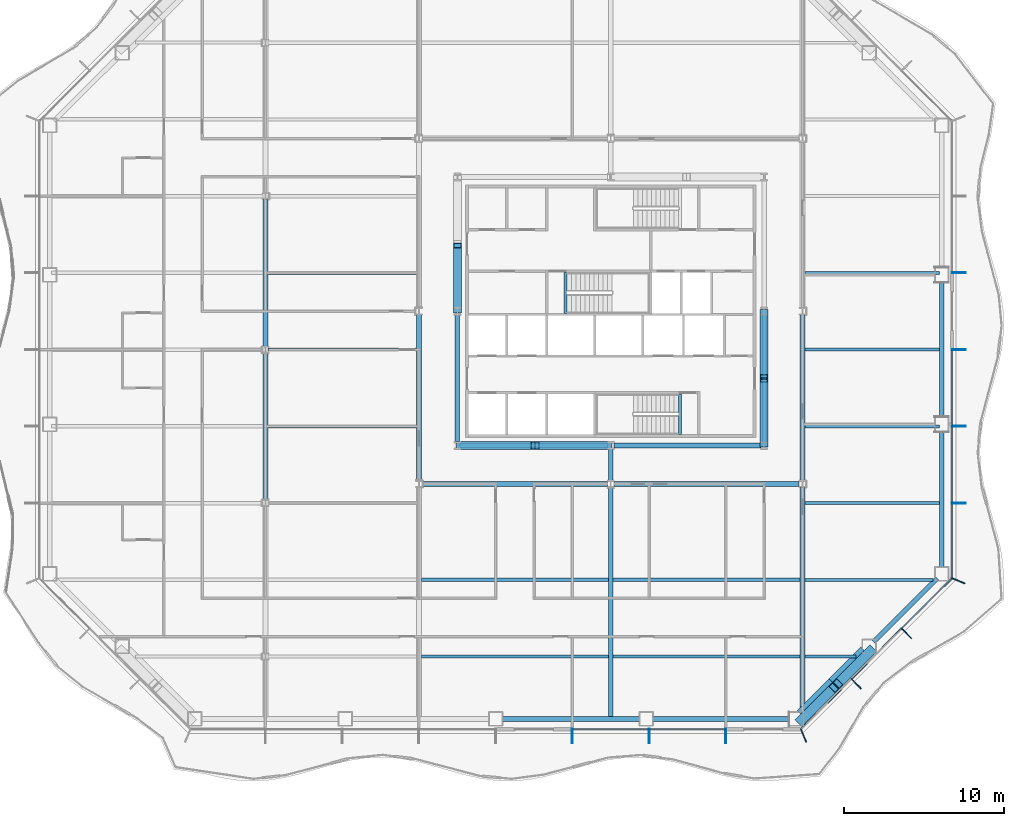
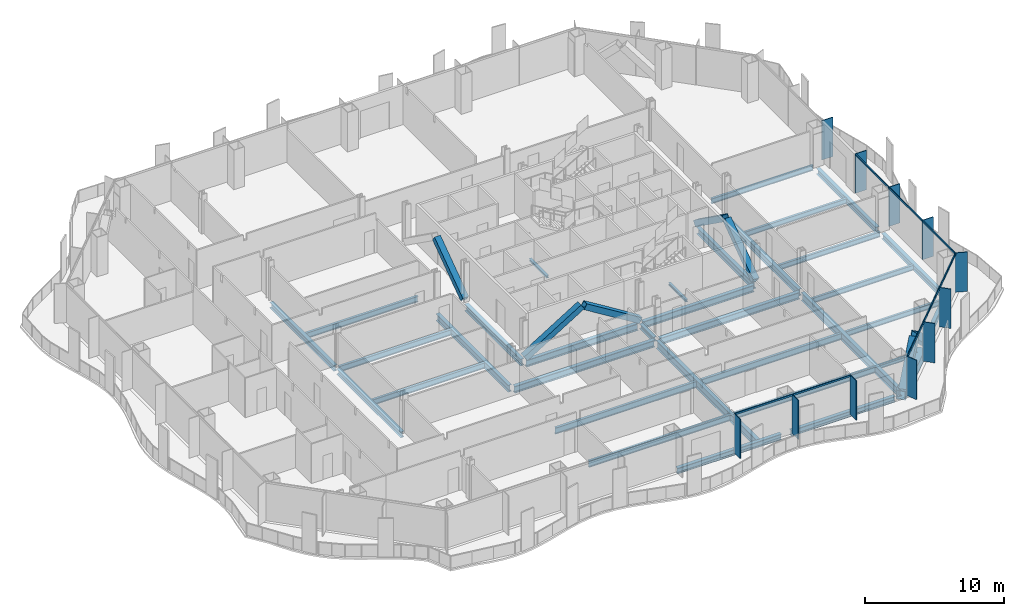
# One storey, part 2 of 18: 35 beams, 26 members, 3 elements without a shape of their own.
"""IFC4 building model written with IfcOpenShell, lengths in metres."""

from ifc_helpers import new_model, si_unit, direction, frame, origin, origin_2d, place, context, subcontext, project, spatial, rectangle, hollow_rectangle, i_section, extrude, material, material_profile, profile_set, type_object, element, aggregate, save


model = new_model("IFC4")

# Units and contexts
model_context = context("Model", 3, precision=1e-05, world=origin(), true_north=direction((0.0, 1.0)))
body_context = subcontext(model_context, "Body", "Model", "MODEL_VIEW")
ifc_project = project(units=[si_unit("LENGTHUNIT", "METRE"), si_unit("AREAUNIT", "SQUARE_METRE"), si_unit("VOLUMEUNIT", "CUBIC_METRE"), si_unit("PLANEANGLEUNIT", "RADIAN"), si_unit("MASSUNIT", "GRAM", prefix="KILO")], contexts=[model_context])

# Site, building, storey
site_placement = place(None, origin())
site = spatial("IfcSite", under=ifc_project, at=site_placement, CompositionType="ELEMENT")
building_placement = place(site_placement, origin())
building = spatial("IfcBuilding", under=site, at=building_placement, Name="Cairn Pilgrim Tower", CompositionType="ELEMENT")
storey_placement = place(building_placement, frame((0.0, 0.0, 72.60009765625)))
storey = spatial("IfcBuildingStorey", under=building, at=storey_placement, Name="L16", CompositionType="ELEMENT", Elevation=72.60009765625)

# Members
ifc_material_1 = material(Name="Structural steel S460M", Category="steel")
ifc_material_profile_1 = material_profile(ifc_material_1, hollow_rectangle(XDim=0.5, YDim=0.5, WallThickness=0.030029296875, at=origin_2d()), Name="BOX 500x500x30")
ifc_profile_set_1 = profile_set([ifc_material_profile_1], Name="Structural steel S460M")
member_type_1 = type_object("IfcMemberType", Name="BOX 500x500x30 BRACE", PredefinedType="BRACE", material=ifc_profile_set_1)
member_1_placement = place(storey_placement, frame((-2.356201171875, -6.0, 0.099853515625), z_axis=(0.850990224345, 0.0, 0.525181528683), x_axis=(0.0, 1.0, 0.0)))
element("IfcMember", 1, at=member_1_placement, inside=storey, type_object=member_type_1, Name="KB-1A", PredefinedType="BRACE", context=body_context, shape_type="SweptSolid", body=[
    extrude(hollow_rectangle(XDim=0.5, YDim=0.5, WallThickness=0.030029296875, at=origin_2d()), origin(), (0.0, 0.0, 1.0), 5.5263671875),
])
member_2_placement = place(storey_placement, frame((7.15625, -6.0, 0.099853515625), z_axis=(-0.851007515624, 0.0, 0.525153509321), x_axis=(0.0, -1.0, 0.0)))
element("IfcMember", 2, at=member_2_placement, inside=storey, type_object=member_type_1, Name="KB-1B", PredefinedType="BRACE", context=body_context, shape_type="SweptSolid", body=[
    extrude(hollow_rectangle(XDim=0.5, YDim=0.5, WallThickness=0.030029296875, at=origin_2d()), origin(), (0.0, 0.0, 1.0), 5.37646484375),
])
member_3_placement = place(storey_placement, frame((16.800048828125, -5.956298828125, 0.099853515625), z_axis=(0.0, 0.814175628242, 0.580618675532), x_axis=(-1.0, 0.0, 0.0)))
element("IfcMember", 3, at=member_3_placement, inside=storey, type_object=member_type_1, Name="KB-2A", PredefinedType="BRACE", context=body_context, shape_type="SweptSolid", body=[
    extrude(hollow_rectangle(XDim=0.5, YDim=0.5, WallThickness=0.030029296875, at=origin_2d()), origin(), (0.0, 0.0, 1.0), 4.99658203125),
])
member_4_placement = place(storey_placement, frame((16.800048828125, 2.356201171875, 0.099853515625), z_axis=(0.0, -0.814159155237, 0.580641774198), x_axis=(1.0, 0.0, 0.0)))
element("IfcMember", 4, at=member_4_placement, inside=storey, type_object=member_type_1, Name="KB-2B", PredefinedType="BRACE", context=body_context, shape_type="SweptSolid", body=[
    extrude(hollow_rectangle(XDim=0.5, YDim=0.5, WallThickness=0.030029296875, at=origin_2d()), origin(), (0.0, 0.0, 1.0), 4.996337890625),
])
member_5_placement = place(storey_placement, frame((-2.39990234375, 2.443603515625, 0.099853515625), z_axis=(0.0, 0.814175628242, 0.580618675532), x_axis=(-1.0, 0.0, 0.0)))
element("IfcMember", 5, at=member_5_placement, inside=storey, type_object=member_type_1, Name="KB-4B", PredefinedType="BRACE", context=body_context, shape_type="SweptSolid", body=[
    extrude(hollow_rectangle(XDim=0.5, YDim=0.5, WallThickness=0.030029296875, at=origin_2d()), origin(), (0.0, 0.0, 1.0), 4.99658203125),
])
ifc_material_profile_2 = material_profile(ifc_material_1, hollow_rectangle(XDim=0.60009765625, YDim=0.60009765625, WallThickness=0.034912109375, at=origin_2d()), Name="BOX 600x600x35")
ifc_profile_set_2 = profile_set([ifc_material_profile_2], Name="Structural steel S460M")
member_type_2 = type_object("IfcMemberType", Name="BOX 600x600x35 BRACE", PredefinedType="BRACE", material=ifc_profile_set_2)
for number, where, z_axis, x_axis, name in (
    (6, (19.078125, -23.2236328125, 0.14990234375), (0.52892212789, 0.52892212789, 0.663688756314), (-0.707106781187, 0.707106781187, 0.0), "XB-SE1-SE2-1"),
    (7, (23.4873046875, -18.814697265625, 0.14990234375), (-0.528939327604, -0.528877844478, 0.663710338426), (0.70706568108, -0.707147878904, 0.0), "XB-SE1-SE2-2"),
):
    element("IfcMember", number, at=place(storey_placement, frame(where, z_axis=z_axis, x_axis=x_axis)), inside=storey, type_object=member_type_2, Name=name, PredefinedType="BRACE", context=body_context, shape_type="SweptSolid", body=[
        extrude(hollow_rectangle(XDim=0.60009765625, YDim=0.60009765625, WallThickness=0.034912109375, at=origin_2d()), origin(), (0.0, 0.0, 1.0), 3.970947265625),
    ])

# Beams
ifc_material_2 = material(Name="Structural steel S355J2", Category="steel")
ifc_material_profile_3 = material_profile(ifc_material_2, hollow_rectangle(XDim=0.699951171875, YDim=0.800048828125, WallThickness=0.0400390625, at=origin_2d()), Name="BOX 700x800x40")
ifc_profile_set_3 = profile_set([ifc_material_profile_3], Name="Structural steel S355J2")
beam_type_1 = type_object("IfcBeamType", Name="BOX 700x800x40 RING GIRDER", PredefinedType="SPANDREL", material=ifc_profile_set_3)
beam_1_placement = place(storey_placement, frame((19.113525390625, -22.813720703125, -0.550048828125), z_axis=(0.707106781187, 0.707106781187, 0.0), x_axis=(-0.707106781187, 0.707106781187, 0.0)))
element("IfcBeam", 8, at=beam_1_placement, inside=storey, type_object=beam_type_1, Name="RG1-SE1-SE2-1", PredefinedType="SPANDREL", context=body_context, shape_type="SweptSolid", body=[
    extrude(hollow_rectangle(XDim=0.699951171875, YDim=0.800048828125, WallThickness=0.0400390625, at=origin_2d()), origin(), (0.0, 0.0, 1.0), 2.802978515625),
])
beam_2_placement = place(storey_placement, frame((21.095458984375, -20.831787109375, -0.550048828125), z_axis=(0.707106781187, 0.707106781187, 0.0), x_axis=(-0.707106781187, 0.707106781187, 0.0)))
element("IfcBeam", 9, at=beam_2_placement, inside=storey, type_object=beam_type_1, Name="RG1-SE1-SE2-2", PredefinedType="SPANDREL", context=body_context, shape_type="SweptSolid", body=[
    extrude(hollow_rectangle(XDim=0.699951171875, YDim=0.800048828125, WallThickness=0.0400390625, at=origin_2d()), origin(), (0.0, 0.0, 1.0), 2.802490234375),
])

# Curtain wall, members
ifc_material_3 = material(Name="Aluminium alloy 6063-T6 bronze anodised with Bronze tinted laminated low-E glass 8+16+8.8", Category="aluminium")
curtain_wall_type_1 = type_object("IfcCurtainWallType", Name="TOWER STICK CURTAIN WALL NS", PredefinedType="NOTDEFINED", material=ifc_material_3)
curtain_wall_1_placement = place(storey_placement, origin())
curtain_wall_1 = element("IfcCurtainWall", 10, at=curtain_wall_1_placement, inside=storey, type_object=curtain_wall_type_1, Name="Tower Stick Curtain Wall Ns S", PredefinedType="NOTDEFINED")
ifc_material_4 = material(Name="Aluminium alloy 6063-T6 bronze anodised", Category="aluminium")
ifc_material_profile_4 = material_profile(ifc_material_4, rectangle(XDim=0.89990234375, YDim=0.06005859375, at=origin_2d()), Name="FIN MULLION 60x900 BRONZE")
ifc_profile_set_4 = profile_set([ifc_material_profile_4], Name="Aluminium alloy 6063-T6 bronze anodised")
member_type_3 = type_object("IfcMemberType", Name="FIN MULLION 60x900 BRONZE", PredefinedType="MULLION", material=ifc_profile_set_4)
member_6_placement = place(storey_placement, frame((4.800048828125, -24.169921875, 0.0), z_axis=(0.0, 0.0, 1.0), x_axis=(0.0, -1.0, 0.0)))
member_6 = element("IfcMember", 11, at=member_6_placement, type_object=member_type_3, Name="Fin mullion S6", PredefinedType="MULLION", context=body_context, shape_type="SweptSolid", body=[
    extrude(rectangle(XDim=0.89990234375, YDim=0.06005859375, at=origin_2d()), origin(), (0.0, 0.0, 1.0), 3.449951171875),
])
member_7_placement = place(storey_placement, frame((9.60009765625, -24.169921875, 0.0), z_axis=(0.0, 0.0, 1.0), x_axis=(0.0, -1.0, 0.0)))
member_7 = element("IfcMember", 12, at=member_7_placement, type_object=member_type_3, Name="Fin mullion S7", PredefinedType="MULLION", context=body_context, shape_type="SweptSolid", body=[
    extrude(rectangle(XDim=0.89990234375, YDim=0.06005859375, at=origin_2d()), origin(), (0.0, 0.0, 1.0), 3.449951171875),
])
member_8_placement = place(storey_placement, frame((14.39990234375, -24.169921875, 0.0), z_axis=(0.0, 0.0, 1.0), x_axis=(0.0, -1.0, 0.0)))
member_8 = element("IfcMember", 13, at=member_8_placement, type_object=member_type_3, Name="Fin mullion S8", PredefinedType="MULLION", context=body_context, shape_type="SweptSolid", body=[
    extrude(rectangle(XDim=0.89990234375, YDim=0.06005859375, at=origin_2d()), origin(), (0.0, 0.0, 1.0), 3.449951171875),
])

curtain_wall_type_2 = type_object("IfcCurtainWallType", Name="CHAMFER CORNER CURTAIN WALL", PredefinedType="NOTDEFINED", material=ifc_material_3)
curtain_wall_2_placement = place(storey_placement, origin())
curtain_wall_2 = element("IfcCurtainWall", 14, at=curtain_wall_2_placement, inside=storey, type_object=curtain_wall_type_2, Name="Chamfer Corner Curtain Wall SE", PredefinedType="NOTDEFINED")
member_9_placement = place(storey_placement, frame((19.257080078125, -24.137939453125, 0.0), z_axis=(0.0, 0.0, 1.0), x_axis=(0.382683432365, -0.923879532511, 0.0)))
member_9 = element("IfcMember", 15, at=member_9_placement, type_object=member_type_3, Name="Fin mullion SE1", PredefinedType="MULLION", context=body_context, shape_type="SweptSolid", body=[
    extrude(rectangle(XDim=0.89990234375, YDim=0.06005859375, at=origin_2d()), origin(), (0.0, 0.0, 1.0), 3.449951171875),
])
member_10_placement = place(storey_placement, frame((22.544677734375, -20.895751953125, 0.0), z_axis=(0.0, 0.0, 1.0), x_axis=(0.707106781187, -0.707106781187, 0.0)))
member_10 = element("IfcMember", 16, at=member_10_placement, type_object=member_type_3, Name="Fin mullion SE2", PredefinedType="MULLION", context=body_context, shape_type="SweptSolid", body=[
    extrude(rectangle(XDim=0.89990234375, YDim=0.06005859375, at=origin_2d()), origin(), (0.0, 0.0, 1.0), 3.449951171875),
])
member_11_placement = place(storey_placement, frame((25.69580078125, -17.74462890625, 0.0), z_axis=(0.0, 0.0, 1.0), x_axis=(0.707106781187, -0.707106781187, 0.0)))
member_11 = element("IfcMember", 17, at=member_11_placement, type_object=member_type_3, Name="Fin mullion SE3", PredefinedType="MULLION", context=body_context, shape_type="SweptSolid", body=[
    extrude(rectangle(XDim=0.89990234375, YDim=0.06005859375, at=origin_2d()), origin(), (0.0, 0.0, 1.0), 3.449951171875),
])

curtain_wall_type_3 = type_object("IfcCurtainWallType", Name="TOWER STICK CURTAIN WALL EW", PredefinedType="NOTDEFINED", material=ifc_material_3)
curtain_wall_3_placement = place(storey_placement, origin())
curtain_wall_3 = element("IfcCurtainWall", 18, at=curtain_wall_3_placement, inside=storey, type_object=curtain_wall_type_3, Name="Tower Stick Curtain Wall Ew E", PredefinedType="NOTDEFINED")
member_12_placement = place(storey_placement, frame((28.93798828125, -14.457275390625, 0.0), z_axis=(0.0, 0.0, 1.0), x_axis=(0.923879532511, -0.382683432365, 0.0)))
member_12 = element("IfcMember", 19, at=member_12_placement, type_object=member_type_3, Name="Fin mullion E1", PredefinedType="MULLION", context=body_context, shape_type="SweptSolid", body=[
    extrude(rectangle(XDim=0.89990234375, YDim=0.06005859375, at=origin_2d()), origin(), (0.0, 0.0, 1.0), 3.449951171875),
])
member_13_placement = place(storey_placement, frame((28.969970703125, -9.60009765625, 0.0), z_axis=(0.0, 0.0, 1.0), x_axis=(1.0, 0.0, 0.0)))
member_13 = element("IfcMember", 20, at=member_13_placement, type_object=member_type_3, Name="Fin mullion E2", PredefinedType="MULLION", context=body_context, shape_type="SweptSolid", body=[
    extrude(rectangle(XDim=0.89990234375, YDim=0.06005859375, at=origin_2d()), origin(), (0.0, 0.0, 1.0), 3.449951171875),
])
member_14_placement = place(storey_placement, frame((28.969970703125, -4.800048828125, 0.0), z_axis=(0.0, 0.0, 1.0), x_axis=(1.0, 0.0, 0.0)))
member_14 = element("IfcMember", 21, at=member_14_placement, type_object=member_type_3, Name="Fin mullion E3", PredefinedType="MULLION", context=body_context, shape_type="SweptSolid", body=[
    extrude(rectangle(XDim=0.89990234375, YDim=0.06005859375, at=origin_2d()), origin(), (0.0, 0.0, 1.0), 3.449951171875),
])
member_15_placement = place(storey_placement, frame((28.969970703125, 0.0, 0.0), z_axis=(0.0, 0.0, 1.0), x_axis=(1.0, 0.0, 0.0)))
member_15 = element("IfcMember", 22, at=member_15_placement, type_object=member_type_3, Name="Fin mullion E4", PredefinedType="MULLION", context=body_context, shape_type="SweptSolid", body=[
    extrude(rectangle(XDim=0.89990234375, YDim=0.06005859375, at=origin_2d()), origin(), (0.0, 0.0, 1.0), 3.449951171875),
])
member_16_placement = place(storey_placement, frame((28.969970703125, 4.800048828125, 0.0), z_axis=(0.0, 0.0, 1.0), x_axis=(1.0, 0.0, 0.0)))
member_16 = element("IfcMember", 23, at=member_16_placement, type_object=member_type_3, Name="Fin mullion E5", PredefinedType="MULLION", context=body_context, shape_type="SweptSolid", body=[
    extrude(rectangle(XDim=0.89990234375, YDim=0.06005859375, at=origin_2d()), origin(), (0.0, 0.0, 1.0), 3.449951171875),
])

# Beams
ifc_material_profile_5 = material_profile(ifc_material_2, i_section(OverallWidth=0.300048828125, OverallDepth=0.39990234375, WebThickness=0.013427734375, FlangeThickness=0.02392578125, FilletRadius=0.027099609375, at=origin_2d()), Name="HEB 400")
ifc_profile_set_5 = profile_set([ifc_material_profile_5], Name="Structural steel S355J2")
beam_type_2 = type_object("IfcBeamType", Name="HEB 400 GIRDER", PredefinedType="BEAM", material=ifc_profile_set_5)
beam_3_placement = place(storey_placement, frame((7.199951171875, -8.18798828125, -0.35009765625), z_axis=(0.0, 1.0, 0.0), x_axis=(-1.0, 0.0, 0.0)))
element("IfcBeam", 24, at=beam_3_placement, inside=storey, type_object=beam_type_2, Name="PG3-E1", PredefinedType="BEAM", context=body_context, shape_type="SweptSolid", body=[
    extrude(i_section(OverallWidth=0.300048828125, OverallDepth=0.39990234375, WebThickness=0.013427734375, FlangeThickness=0.02392578125, FilletRadius=0.027099609375, at=origin_2d()), origin(), (0.0, 0.0, 1.0), 1.969482421875),
])
ifc_material_profile_6 = material_profile(ifc_material_2, i_section(OverallWidth=0.300048828125, OverallDepth=0.5, WebThickness=0.014404296875, FlangeThickness=0.028076171875, FilletRadius=0.027099609375, at=origin_2d()), Name="HEB 500")
ifc_profile_set_6 = profile_set([ifc_material_profile_6], Name="Structural steel S355J2")
beam_type_3 = type_object("IfcBeamType", Name="HEB 500 GIRDER", PredefinedType="BEAM", material=ifc_profile_set_6)
for number, where, z_axis, x_axis, name in (
    (25, (-14.39990234375, -9.3955078125, -0.400146484375), (0.0, 1.0, 0.0), (-1.0, 0.0, 0.0), "PG1-3"),
    (26, (-14.39990234375, 0.20458984375, -0.400146484375), (0.0, 1.0, 0.0), (-1.0, 0.0, 0.0), "PG1-4"),
):
    element("IfcBeam", number, at=place(storey_placement, frame(where, z_axis=z_axis, x_axis=x_axis)), inside=storey, type_object=beam_type_3, Name=name, PredefinedType="BEAM", context=body_context, shape_type="SweptSolid", body=[
        extrude(i_section(OverallWidth=0.300048828125, OverallDepth=0.5, WebThickness=0.014404296875, FlangeThickness=0.028076171875, FilletRadius=0.027099609375, at=origin_2d()), origin(), (0.0, 0.0, 1.0), 9.19091796875),
    ])
ifc_material_profile_7 = material_profile(ifc_material_2, i_section(OverallWidth=0.300048828125, OverallDepth=0.5, WebThickness=0.014404296875, FlangeThickness=0.028076171875, FilletRadius=0.027099609375, at=origin_2d()), Name="HEB 500")
ifc_profile_set_7 = profile_set([ifc_material_profile_7], Name="Structural steel S355J2")
beam_type_4 = type_object("IfcBeamType", Name="HEB 500 RING GIRDER", PredefinedType="SPANDREL", material=ifc_profile_set_7)
for number, where, z_axis, x_axis, name in (
    (27, (0.405029296875, -23.10009765625, -0.400146484375), (1.0, 0.0, 0.0), (0.0, 1.0, 0.0), "RG1-S3-S4"),
    (28, (9.818603515625, -23.10009765625, -0.400146484375), (1.0, 0.0, 0.0), (0.0, 1.0, 0.0), "RG1-S4-SE1"),
):
    element("IfcBeam", number, at=place(storey_placement, frame(where, z_axis=z_axis, x_axis=x_axis)), inside=storey, type_object=beam_type_4, Name=name, PredefinedType="SPANDREL", context=body_context, shape_type="SweptSolid", body=[
        extrude(i_section(OverallWidth=0.300048828125, OverallDepth=0.5, WebThickness=0.014404296875, FlangeThickness=0.028076171875, FilletRadius=0.027099609375, at=origin_2d()), origin(), (0.0, 0.0, 1.0), 8.603515625),
    ])
beam_4_placement = place(storey_placement, frame((23.64990234375, -18.277099609375, -0.400146484375), z_axis=(0.707128558756, 0.707085002947, 0.0), x_axis=(-0.707085002947, 0.707128558756, 0.0)))
element("IfcBeam", 29, at=beam_4_placement, inside=storey, type_object=beam_type_4, Name="RG1-SE2-E1", PredefinedType="SPANDREL", context=body_context, shape_type="SweptSolid", body=[
    extrude(i_section(OverallWidth=0.300048828125, OverallDepth=0.5, WebThickness=0.014404296875, FlangeThickness=0.028076171875, FilletRadius=0.027099609375, at=origin_2d()), origin(), (0.0, 0.0, 1.0), 5.605224609375),
])
for number, where, z_axis, x_axis, name in (
    (30, (27.89990234375, -13.622314453125, -0.400146484375), (0.0, 1.0, 0.0), (-1.0, 0.0, 0.0), "RG1-E1-E2"),
    (31, (27.89990234375, -4.270751953125, -0.400146484375), (0.0, 1.0, 0.0), (-1.0, 0.0, 0.0), "RG1-E2-E3"),
):
    element("IfcBeam", number, at=place(storey_placement, frame(where, z_axis=z_axis, x_axis=x_axis)), inside=storey, type_object=beam_type_4, Name=name, PredefinedType="SPANDREL", context=body_context, shape_type="SweptSolid", body=[
        extrude(i_section(OverallWidth=0.300048828125, OverallDepth=0.5, WebThickness=0.014404296875, FlangeThickness=0.028076171875, FilletRadius=0.027099609375, at=origin_2d()), origin(), (0.0, 0.0, 1.0), 8.54150390625),
    ])
ifc_material_profile_8 = material_profile(ifc_material_2, i_section(OverallWidth=0.300048828125, OverallDepth=0.60009765625, WebThickness=0.015380859375, FlangeThickness=0.030029296875, FilletRadius=0.027099609375, at=origin_2d()), Name="HEB 600")
ifc_profile_set_8 = profile_set([ifc_material_profile_8], Name="Structural steel S355J2")
beam_type_5 = type_object("IfcBeamType", Name="HEB 600 CORE BEAM", PredefinedType="BEAM", material=ifc_profile_set_8)
beam_5_placement = place(storey_placement, frame((-2.203369140625, -6.0, -0.4501953125), z_axis=(1.0, 0.0, 0.0), x_axis=(0.0, 1.0, 0.0)))
element("IfcBeam", 32, at=beam_5_placement, inside=storey, type_object=beam_type_5, Name="CB-1", PredefinedType="BEAM", context=body_context, shape_type="SweptSolid", body=[
    extrude(i_section(OverallWidth=0.300048828125, OverallDepth=0.60009765625, WebThickness=0.015380859375, FlangeThickness=0.030029296875, FilletRadius=0.027099609375, at=origin_2d()), origin(), (0.0, 0.0, 1.0), 9.206787109375),
])
beam_6_placement = place(storey_placement, frame((7.396728515625, -6.0, -0.4501953125), z_axis=(1.0, 0.0, 0.0), x_axis=(0.0, 1.0, 0.0)))
element("IfcBeam", 33, at=beam_6_placement, inside=storey, type_object=beam_type_5, Name="CB-2", PredefinedType="BEAM", context=body_context, shape_type="SweptSolid", body=[
    extrude(i_section(OverallWidth=0.300048828125, OverallDepth=0.60009765625, WebThickness=0.015380859375, FlangeThickness=0.030029296875, FilletRadius=0.027099609375, at=origin_2d()), origin(), (0.0, 0.0, 1.0), 9.20654296875),
])
for number, where, z_axis, x_axis, name in (
    (34, (16.800048828125, -5.803466796875, -0.4501953125), (0.0, 1.0, 0.0), (-1.0, 0.0, 0.0), "CB-3"),
    (35, (-2.39990234375, 2.203369140625, -0.4501953125), (0.0, -1.0, 0.0), (1.0, 0.0, 0.0), "CB-8"),
):
    element("IfcBeam", number, at=place(storey_placement, frame(where, z_axis=z_axis, x_axis=x_axis)), inside=storey, type_object=beam_type_5, Name=name, PredefinedType="BEAM", context=body_context, shape_type="SweptSolid", body=[
        extrude(i_section(OverallWidth=0.300048828125, OverallDepth=0.60009765625, WebThickness=0.015380859375, FlangeThickness=0.030029296875, FilletRadius=0.027099609375, at=origin_2d()), origin(), (0.0, 0.0, 1.0), 8.0068359375),
    ])
ifc_material_profile_9 = material_profile(ifc_material_2, i_section(OverallWidth=0.300048828125, OverallDepth=0.60009765625, WebThickness=0.015380859375, FlangeThickness=0.030029296875, FilletRadius=0.027099609375, at=origin_2d()), Name="HEB 600")
ifc_profile_set_9 = profile_set([ifc_material_profile_9], Name="Structural steel S355J2")
beam_type_6 = type_object("IfcBeamType", Name="HEB 600 GIRDER", PredefinedType="BEAM", material=ifc_profile_set_9)
for number, where, z_axis, x_axis, name in (
    (36, (-4.800048828125, -8.18798828125, -0.4501953125), (0.0, 1.0, 0.0), (-1.0, 0.0, 0.0), "PG2-2"),
    (37, (19.199951171875, -8.18798828125, -0.4501953125), (0.0, 1.0, 0.0), (-1.0, 0.0, 0.0), "PG4-2"),
):
    element("IfcBeam", number, at=place(storey_placement, frame(where, z_axis=z_axis, x_axis=x_axis)), inside=storey, type_object=beam_type_6, Name=name, PredefinedType="BEAM", context=body_context, shape_type="SweptSolid", body=[
        extrude(i_section(OverallWidth=0.300048828125, OverallDepth=0.60009765625, WebThickness=0.015380859375, FlangeThickness=0.030029296875, FilletRadius=0.027099609375, at=origin_2d()), origin(), (0.0, 0.0, 1.0), 10.3759765625),
    ])
ifc_material_profile_10 = material_profile(ifc_material_2, i_section(OverallWidth=0.300048828125, OverallDepth=0.60009765625, WebThickness=0.015380859375, FlangeThickness=0.030029296875, FilletRadius=0.027099609375, at=origin_2d()), Name="HEB 600")
ifc_profile_set_10 = profile_set([ifc_material_profile_10], Name="Structural steel S355J2")
beam_type_7 = type_object("IfcBeamType", Name="HEB 600 INNER GIRDER", PredefinedType="BEAM", material=ifc_profile_set_10)
for number, where, z_axis, x_axis, name in (
    (38, (-4.587890625, -8.39990234375, -0.4501953125), (1.0, 0.0, 0.0), (0.0, 1.0, 0.0), "IG1-1"),
    (39, (7.412109375, -8.39990234375, -0.4501953125), (1.0, 0.0, 0.0), (0.0, 1.0, 0.0), "IG1-2"),
):
    element("IfcBeam", number, at=place(storey_placement, frame(where, z_axis=z_axis, x_axis=x_axis)), inside=storey, type_object=beam_type_7, Name=name, PredefinedType="BEAM", context=body_context, shape_type="SweptSolid", body=[
        extrude(i_section(OverallWidth=0.300048828125, OverallDepth=0.60009765625, WebThickness=0.015380859375, FlangeThickness=0.030029296875, FilletRadius=0.027099609375, at=origin_2d()), origin(), (0.0, 0.0, 1.0), 11.575927734375),
    ])
ifc_material_profile_11 = material_profile(ifc_material_2, i_section(OverallWidth=0.300048828125, OverallDepth=0.699951171875, WebThickness=0.01708984375, FlangeThickness=0.031982421875, FilletRadius=0.027099609375, at=origin_2d()), Name="HEB 700")
ifc_profile_set_11 = profile_set([ifc_material_profile_11], Name="Structural steel S355J2")
beam_type_8 = type_object("IfcBeamType", Name="HEB 700 GIRDER", PredefinedType="BEAM", material=ifc_profile_set_11)
beam_7_placement = place(storey_placement, frame((7.199951171875, -22.97998046875, -0.5), z_axis=(0.0, 1.0, 0.0), x_axis=(-1.0, 0.0, 0.0)))
element("IfcBeam", 40, at=beam_7_placement, inside=storey, type_object=beam_type_8, Name="PG3-1", PredefinedType="BEAM", context=body_context, shape_type="SweptSolid", body=[
    extrude(i_section(OverallWidth=0.300048828125, OverallDepth=0.699951171875, WebThickness=0.01708984375, FlangeThickness=0.031982421875, FilletRadius=0.027099609375, at=origin_2d()), origin(), (0.0, 0.0, 1.0), 14.367919921875),
])
beam_8_placement = place(storey_placement, frame((19.199951171875, -22.545166015625, -0.5), z_axis=(0.0, 1.0, 0.0), x_axis=(-1.0, 0.0, 0.0)))
element("IfcBeam", 41, at=beam_8_placement, inside=storey, type_object=beam_type_8, Name="PG4-1", PredefinedType="BEAM", context=body_context, shape_type="SweptSolid", body=[
    extrude(i_section(OverallWidth=0.300048828125, OverallDepth=0.699951171875, WebThickness=0.01708984375, FlangeThickness=0.031982421875, FilletRadius=0.027099609375, at=origin_2d()), origin(), (0.0, 0.0, 1.0), 13.93310546875),
])
ifc_material_profile_12 = material_profile(ifc_material_2, i_section(OverallWidth=0.169921875, OverallDepth=0.360107421875, WebThickness=0.008056640625, FlangeThickness=0.0126953125, FilletRadius=0.01806640625, at=origin_2d()), Name="IPE 360")
ifc_profile_set_12 = profile_set([ifc_material_profile_12], Name="Structural steel S355J2")
beam_type_9 = type_object("IfcBeamType", Name="IPE 360 SECONDARY BEAM", PredefinedType="JOIST", material=ifc_profile_set_12)
beam_9_placement = place(storey_placement, frame((19.35009765625, -19.199951171875, -0.330078125), z_axis=(1.0, 0.0, 0.0), x_axis=(0.0, 1.0, 0.0)))
element("IfcBeam", 42, at=beam_9_placement, inside=storey, type_object=beam_type_9, Name="SB1-5", PredefinedType="JOIST", context=body_context, shape_type="SweptSolid", body=[
    extrude(i_section(OverallWidth=0.169921875, OverallDepth=0.360107421875, WebThickness=0.008056640625, FlangeThickness=0.0126953125, FilletRadius=0.01806640625, at=origin_2d()), origin(), (0.0, 0.0, 1.0), 3.195068359375),
])
ifc_material_profile_13 = material_profile(ifc_material_2, i_section(OverallWidth=0.18994140625, OverallDepth=0.449951171875, WebThickness=0.009521484375, FlangeThickness=0.0146484375, FilletRadius=0.02099609375, at=origin_2d()), Name="IPE 450")
ifc_profile_set_13 = profile_set([ifc_material_profile_13], Name="Structural steel S355J2")
beam_type_10 = type_object("IfcBeamType", Name="IPE 450 SECONDARY BEAM", PredefinedType="JOIST", material=ifc_profile_set_13)
beam_10_placement = place(storey_placement, frame((19.35009765625, -14.39990234375, -0.375), z_axis=(1.0, 0.0, 0.0), x_axis=(0.0, 1.0, 0.0)))
element("IfcBeam", 43, at=beam_10_placement, inside=storey, type_object=beam_type_10, Name="SB2-5", PredefinedType="JOIST", context=body_context, shape_type="SweptSolid", body=[
    extrude(i_section(OverallWidth=0.18994140625, OverallDepth=0.449951171875, WebThickness=0.009521484375, FlangeThickness=0.0146484375, FilletRadius=0.02099609375, at=origin_2d()), origin(), (0.0, 0.0, 1.0), 7.9951171875),
])
for number, where, z_axis, x_axis, name in (
    (44, (19.35009765625, -9.60009765625, -0.375), (1.0, 0.0, 0.0), (0.0, 1.0, 0.0), "SB3-3"),
    (45, (19.35009765625, -4.800048828125, -0.375), (1.0, 0.0, 0.0), (0.0, 1.0, 0.0), "SB4-3"),
    (46, (19.35009765625, 0.0, -0.375), (1.0, 0.0, 0.0), (0.0, 1.0, 0.0), "SB5-3"),
    (47, (19.35009765625, 4.800048828125, -0.375), (1.0, 0.0, 0.0), (0.0, 1.0, 0.0), "SB6-3"),
):
    element("IfcBeam", number, at=place(storey_placement, frame(where, z_axis=z_axis, x_axis=x_axis)), inside=storey, type_object=beam_type_10, Name=name, PredefinedType="JOIST", context=body_context, shape_type="SweptSolid", body=[
        extrude(i_section(OverallWidth=0.18994140625, OverallDepth=0.449951171875, WebThickness=0.009521484375, FlangeThickness=0.0146484375, FilletRadius=0.02099609375, at=origin_2d()), origin(), (0.0, 0.0, 1.0), 8.429931640625),
    ])
ifc_material_profile_14 = material_profile(ifc_material_2, i_section(OverallWidth=0.199951171875, OverallDepth=0.5, WebThickness=0.01025390625, FlangeThickness=0.01611328125, FilletRadius=0.02099609375, at=origin_2d()), Name="IPE 500")
ifc_profile_set_14 = profile_set([ifc_material_profile_14], Name="Structural steel S355J2")
beam_type_11 = type_object("IfcBeamType", Name="IPE 500 SECONDARY BEAM", PredefinedType="JOIST", material=ifc_profile_set_14)
for number, where, z_axis, x_axis, name in (
    (48, (-14.25, -4.800048828125, -0.400146484375), (1.0, 0.0, 0.0), (0.0, 1.0, 0.0), "SB4-2"),
    (49, (-14.25, 0.0, -0.400146484375), (1.0, 0.0, 0.0), (0.0, 1.0, 0.0), "SB5-2"),
    (50, (-14.25, 4.800048828125, -0.400146484375), (1.0, 0.0, 0.0), (0.0, 1.0, 0.0), "SB6-2"),
):
    element("IfcBeam", number, at=place(storey_placement, frame(where, z_axis=z_axis, x_axis=x_axis)), inside=storey, type_object=beam_type_11, Name=name, PredefinedType="JOIST", context=body_context, shape_type="SweptSolid", body=[
        extrude(i_section(OverallWidth=0.199951171875, OverallDepth=0.5, WebThickness=0.01025390625, FlangeThickness=0.01611328125, FilletRadius=0.02099609375, at=origin_2d()), origin(), (0.0, 0.0, 1.0), 9.300048828125),
    ])
ifc_material_profile_15 = material_profile(ifc_material_2, i_section(OverallWidth=0.2099609375, OverallDepth=0.550048828125, WebThickness=0.010986328125, FlangeThickness=0.01708984375, FilletRadius=0.02392578125, at=origin_2d()), Name="IPE 550")
ifc_profile_set_15 = profile_set([ifc_material_profile_15], Name="Structural steel S355J2")
beam_type_12 = type_object("IfcBeamType", Name="IPE 550 SECONDARY BEAM", PredefinedType="JOIST", material=ifc_profile_set_15)
for number, where, z_axis, x_axis, name in (
    (51, (-4.64990234375, -19.199951171875, -0.425048828125), (1.0, 0.0, 0.0), (0.0, 1.0, 0.0), "SB1-3"),
    (52, (7.35009765625, -19.199951171875, -0.425048828125), (1.0, 0.0, 0.0), (0.0, 1.0, 0.0), "SB1-4"),
    (53, (-4.64990234375, -14.39990234375, -0.425048828125), (1.0, 0.0, 0.0), (0.0, 1.0, 0.0), "SB2-3"),
    (54, (7.35009765625, -14.39990234375, -0.425048828125), (1.0, 0.0, 0.0), (0.0, 1.0, 0.0), "SB2-4"),
):
    element("IfcBeam", number, at=place(storey_placement, frame(where, z_axis=z_axis, x_axis=x_axis)), inside=storey, type_object=beam_type_12, Name=name, PredefinedType="JOIST", context=body_context, shape_type="SweptSolid", body=[
        extrude(i_section(OverallWidth=0.2099609375, OverallDepth=0.550048828125, WebThickness=0.010986328125, FlangeThickness=0.01708984375, FilletRadius=0.02392578125, at=origin_2d()), origin(), (0.0, 0.0, 1.0), 11.699951171875),
    ])
ifc_material_profile_16 = material_profile(ifc_material_2, i_section(OverallWidth=0.199951171875, OverallDepth=0.199951171875, WebThickness=0.009033203125, FlangeThickness=0.014892578125, FilletRadius=0.01806640625, at=origin_2d()), Name="HE 200 B")
ifc_profile_set_16 = profile_set([ifc_material_profile_16], Name="Structural steel S355J2")
beam_type_13 = type_object("IfcBeamType", Name="STAIR LANDING BEAM HE 200 B", PredefinedType="BEAM", material=ifc_profile_set_16)
beam_11_placement = place(storey_placement, frame((11.5244140625, -2.77490234375, -0.25), z_axis=(0.0, -1.0, 0.0), x_axis=(1.0, 0.0, 0.0)))
element("IfcBeam", 55, at=beam_11_placement, inside=storey, type_object=beam_type_13, Name="STAIR LANDING BEAM LD-HE200B", PredefinedType="BEAM", context=body_context, shape_type="SweptSolid", body=[
    extrude(i_section(OverallWidth=0.199951171875, OverallDepth=0.199951171875, WebThickness=0.009033203125, FlangeThickness=0.014892578125, FilletRadius=0.01806640625, at=origin_2d()), origin(), (0.0, 0.0, 1.0), 2.525146484375),
])
beam_12_placement = place(storey_placement, frame((4.37548828125, 2.27490234375, -0.25), z_axis=(0.0, 1.0, 0.0), x_axis=(-1.0, 0.0, 0.0)))
element("IfcBeam", 56, at=beam_12_placement, inside=storey, type_object=beam_type_13, Name="STAIR LANDING BEAM LD-HE200B", PredefinedType="BEAM", context=body_context, shape_type="SweptSolid", body=[
    extrude(i_section(OverallWidth=0.199951171875, OverallDepth=0.199951171875, WebThickness=0.009033203125, FlangeThickness=0.014892578125, FilletRadius=0.01806640625, at=origin_2d()), origin(), (0.0, 0.0, 1.0), 2.550048828125),
])

# Member
ifc_material_profile_17 = material_profile(ifc_material_4, rectangle(XDim=0.080078125, YDim=0.14990234375, at=origin_2d()), Name="TRANSOM 80x150 BRONZE")
ifc_profile_set_17 = profile_set([ifc_material_profile_17], Name="Aluminium alloy 6063-T6 bronze anodised")
member_type_4 = type_object("IfcMemberType", Name="TRANSOM 80x150 BRONZE", PredefinedType="USERDEFINED", material=ifc_profile_set_17)
member_17_placement = place(storey_placement, frame((4.830078125, -23.75, 3.375), z_axis=(1.0, 0.0, 0.0), x_axis=(0.0, 1.0, 0.0)))
member_17 = element("IfcMember", 57, at=member_17_placement, type_object=member_type_4, Name="Transom S6", ObjectType="TRANSOM", PredefinedType="USERDEFINED", context=body_context, shape_type="SweptSolid", body=[
    extrude(rectangle(XDim=0.080078125, YDim=0.14990234375, at=origin_2d()), origin(), (0.0, 0.0, 1.0), 4.739990234375),
])

member_18_placement = place(storey_placement, frame((9.6298828125, -23.75, 3.375), z_axis=(1.0, 0.0, 0.0), x_axis=(0.0, 1.0, 0.0)))
member_18 = element("IfcMember", 58, at=member_18_placement, type_object=member_type_4, Name="Transom S7", ObjectType="TRANSOM", PredefinedType="USERDEFINED", context=body_context, shape_type="SweptSolid", body=[
    extrude(rectangle(XDim=0.080078125, YDim=0.14990234375, at=origin_2d()), origin(), (0.0, 0.0, 1.0), 4.740234375),
])

aggregate(curtain_wall_1, [member_6, member_7, member_8, member_17, member_18])

member_19_placement = place(storey_placement, frame((19.124755859375, -23.7216796875, 3.375), z_axis=(0.707106781187, 0.707106781187, 0.0), x_axis=(-0.707106781187, 0.707106781187, 0.0)))
member_19 = element("IfcMember", 59, at=member_19_placement, type_object=member_type_4, Name="Transom SE1", ObjectType="TRANSOM", PredefinedType="USERDEFINED", context=body_context, shape_type="SweptSolid", body=[
    extrude(rectangle(XDim=0.080078125, YDim=0.14990234375, at=origin_2d()), origin(), (0.0, 0.0, 1.0), 4.38623046875),
])

member_20_placement = place(storey_placement, frame((22.268798828125, -20.57763671875, 3.375), z_axis=(0.707106781187, 0.707106781187, 0.0), x_axis=(-0.707106781187, 0.707106781187, 0.0)))
member_20 = element("IfcMember", 60, at=member_20_placement, type_object=member_type_4, Name="Transom SE2", ObjectType="TRANSOM", PredefinedType="USERDEFINED", context=body_context, shape_type="SweptSolid", body=[
    extrude(rectangle(XDim=0.080078125, YDim=0.14990234375, at=origin_2d()), origin(), (0.0, 0.0, 1.0), 4.396728515625),
])

member_21_placement = place(storey_placement, frame((25.419921875, -17.426513671875, 3.375), z_axis=(0.707106781187, 0.707106781187, 0.0), x_axis=(-0.707106781187, 0.707106781187, 0.0)))
member_21 = element("IfcMember", 61, at=member_21_placement, type_object=member_type_4, Name="Transom SE3", ObjectType="TRANSOM", PredefinedType="USERDEFINED", context=body_context, shape_type="SweptSolid", body=[
    extrude(rectangle(XDim=0.080078125, YDim=0.14990234375, at=origin_2d()), origin(), (0.0, 0.0, 1.0), 4.38671875),
])

aggregate(curtain_wall_2, [member_9, member_10, member_11, member_19, member_20, member_21])

member_22_placement = place(storey_placement, frame((28.550048828125, -14.25634765625, 3.375), z_axis=(0.0, 1.0, 0.0), x_axis=(-1.0, 0.0, 0.0)))
member_22 = element("IfcMember", 62, at=member_22_placement, type_object=member_type_4, Name="Transom E1", ObjectType="TRANSOM", PredefinedType="USERDEFINED", context=body_context, shape_type="SweptSolid", body=[
    extrude(rectangle(XDim=0.080078125, YDim=0.14990234375, at=origin_2d()), origin(), (0.0, 0.0, 1.0), 4.62646484375),
])

member_23_placement = place(storey_placement, frame((28.550048828125, -9.570068359375, 3.375), z_axis=(0.0, 1.0, 0.0), x_axis=(-1.0, 0.0, 0.0)))
member_23 = element("IfcMember", 63, at=member_23_placement, type_object=member_type_4, Name="Transom E2", ObjectType="TRANSOM", PredefinedType="USERDEFINED", context=body_context, shape_type="SweptSolid", body=[
    extrude(rectangle(XDim=0.080078125, YDim=0.14990234375, at=origin_2d()), origin(), (0.0, 0.0, 1.0), 4.739990234375),
])

member_24_placement = place(storey_placement, frame((28.550048828125, -4.77001953125, 3.375), z_axis=(0.0, 1.0, 0.0), x_axis=(-1.0, 0.0, 0.0)))
member_24 = element("IfcMember", 64, at=member_24_placement, type_object=member_type_4, Name="Transom E3", ObjectType="TRANSOM", PredefinedType="USERDEFINED", context=body_context, shape_type="SweptSolid", body=[
    extrude(rectangle(XDim=0.080078125, YDim=0.14990234375, at=origin_2d()), origin(), (0.0, 0.0, 1.0), 4.739990234375),
])

aggregate(curtain_wall_3, [member_12, member_13, member_14, member_15, member_16, member_22, member_23, member_24])

save(model, "model.ifc")
